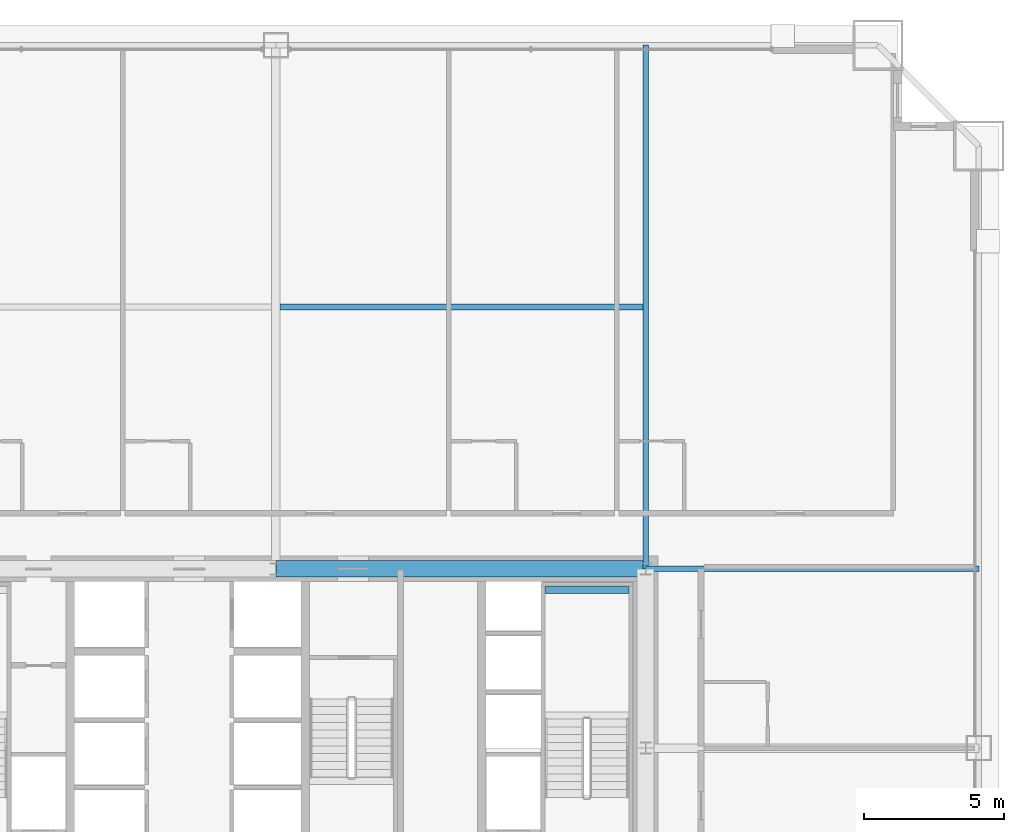
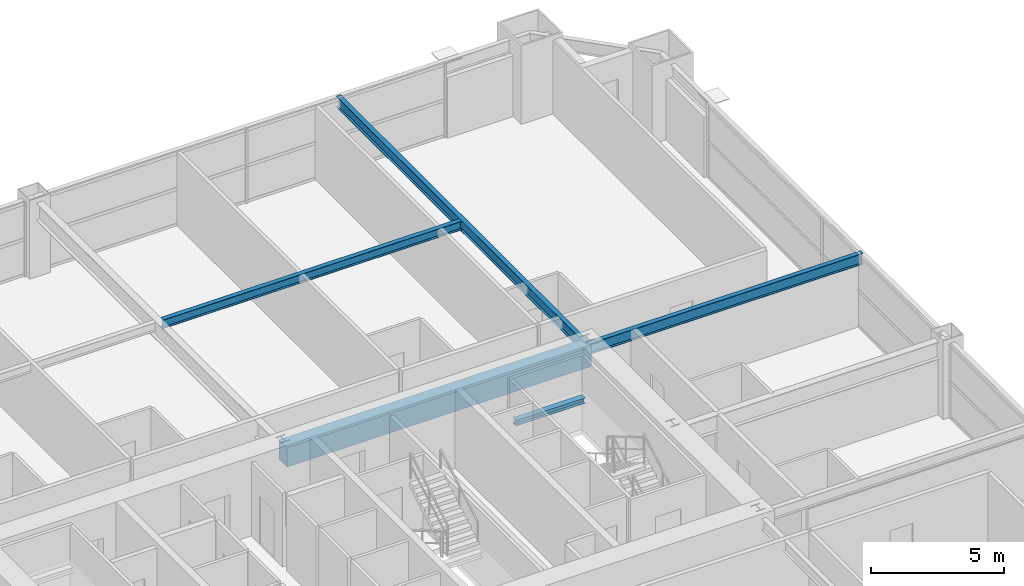
# One storey, part 31 of 43: 5 beams.
"""IFC4 building model written with IfcOpenShell, lengths in metres."""

from ifc_helpers import new_model, si_unit, direction, frame, origin, origin_2d, place, context, subcontext, project, spatial, rectangle, i_section, extrude, source, transform, mapped, material, material_profile, profile_set, type_object, element, save


model = new_model("IFC4")

# Units and contexts
model_context = context("Model", 3, precision=1e-05, world=origin(), true_north=direction((0.0, 1.0)))
body_context = subcontext(model_context, "Body", "Model", "MODEL_VIEW")
ifc_project = project(units=[si_unit("LENGTHUNIT", "METRE"), si_unit("AREAUNIT", "SQUARE_METRE"), si_unit("VOLUMEUNIT", "CUBIC_METRE"), si_unit("PLANEANGLEUNIT", "RADIAN"), si_unit("MASSUNIT", "GRAM", prefix="KILO"), si_unit("THERMODYNAMICTEMPERATUREUNIT", "KELVIN"), si_unit("POWERUNIT", "WATT")], contexts=[model_context])

# Site, building, storey
site_placement = place(None, origin())
site = spatial("IfcSite", under=ifc_project, at=site_placement, CompositionType="ELEMENT")
building_placement = place(site_placement, origin())
building = spatial("IfcBuilding", under=site, at=building_placement, Name="Yuzanri Waterfront Tower", CompositionType="ELEMENT")
storey_placement = place(building_placement, frame((0.0, 0.0, 78.39990234375)))
storey = spatial("IfcBuildingStorey", under=building, at=storey_placement, Name="L20", CompositionType="ELEMENT", Elevation=78.39990234375)

# Beams
ifc_material_1 = material(Name="Concrete C60", Category="concrete")
ifc_material_profile_1 = material_profile(ifc_material_1, rectangle(XDim=0.60009765625, YDim=0.89990234375, at=origin_2d()), Name="RC 600x900")
ifc_profile_set_1 = profile_set([ifc_material_profile_1], Name="Concrete C60")
beam_type_1 = type_object("IfcBeamType", Name="Core Coupling Lintel Concrete C60 600x900", PredefinedType="LINTEL", material=ifc_profile_set_1)
shared_shape_1 = source(origin(), body_context, "Body", "SweptSolid", [
    extrude(rectangle(XDim=0.60009765625, YDim=0.89990234375, at=origin_2d()), origin(), (0.0, 0.0, 1.0), 13.199951171875),
])
beam_1_placement = place(storey_placement, frame((37.0, 32.199951171875, 2.93017578125), z_axis=(1.0, 0.0, 0.0), x_axis=(0.0, 1.0, 0.0)))
element("IfcBeam", 1, at=beam_1_placement, inside=storey, type_object=beam_type_1, Name="L20 Core Tie Beam CN2", PredefinedType="LINTEL", context=body_context, shape_type="MappedRepresentation", body=[
    mapped(shared_shape_1, transform((0.0, 0.0, 0.0), scale=1.0)),
])
ifc_material_2 = material(Name="Steel Q355B", Category="steel")
ifc_material_profile_2 = material_profile(ifc_material_2, i_section(OverallWidth=0.199951171875, OverallDepth=0.5, WebThickness=0.010009765625, FlangeThickness=0.01611328125, at=origin_2d()), Name="HN 500x200x10x16")
ifc_profile_set_2 = profile_set([ifc_material_profile_2], Name="Steel Q355B")
beam_type_2 = type_object("IfcBeamType", Name="Secondary Floor Beam Q355B HN 500x200", PredefinedType="BEAM", material=ifc_profile_set_2)
shared_shape_2 = source(origin(), body_context, "Body", "SweptSolid", [
    extrude(i_section(OverallWidth=0.199951171875, OverallDepth=0.5, WebThickness=0.010009765625, FlangeThickness=0.01611328125, at=origin_2d()), origin(), (0.0, 0.0, 1.0), 18.699951171875),
])
beam_2_placement = place(storey_placement, frame((50.199951171875, 32.199951171875, 3.130126953125), z_axis=(0.0, 1.0, 0.0), x_axis=(-1.0, 0.0, 0.0)))
element("IfcBeam", 2, at=beam_2_placement, inside=storey, type_object=beam_type_2, Name="L20 North-East Core Line Beam", PredefinedType="BEAM", context=body_context, shape_type="MappedRepresentation", body=[
    mapped(shared_shape_2, transform((0.0, 0.0, 0.0), scale=1.0)),
])
shared_shape_3 = source(origin(), body_context, "Body", "SweptSolid", [
    extrude(i_section(OverallWidth=0.199951171875, OverallDepth=0.5, WebThickness=0.010009765625, FlangeThickness=0.01611328125, at=origin_2d()), origin(), (0.0, 0.0, 1.0), 11.900146484375),
])
beam_3_placement = place(storey_placement, frame((50.199951171875, 32.199951171875, 3.130126953125), z_axis=(1.0, 0.0, 0.0), x_axis=(0.0, 1.0, 0.0)))
element("IfcBeam", 3, at=beam_3_placement, inside=storey, type_object=beam_type_2, Name="L20 East-North Core Line Beam", PredefinedType="BEAM", context=body_context, shape_type="MappedRepresentation", body=[
    mapped(shared_shape_3, transform((0.0, 0.0, 0.0), scale=1.0)),
])
ifc_material_3 = material(Name="Steel Q355B", Category="steel")
ifc_material_profile_3 = material_profile(ifc_material_3, i_section(OverallWidth=0.199951171875, OverallDepth=0.39990234375, WebThickness=0.008056640625, FlangeThickness=0.012939453125, at=origin_2d()), Name="HN 400x200x8x13")
ifc_profile_set_3 = profile_set([ifc_material_profile_3], Name="Steel Q355B")
beam_type_3 = type_object("IfcBeamType", Name="Floor Joist Q355B HN 400x200", PredefinedType="JOIST", material=ifc_profile_set_3)
shared_shape_4 = source(origin(), body_context, "Body", "SweptSolid", [
    extrude(i_section(OverallWidth=0.199951171875, OverallDepth=0.39990234375, WebThickness=0.008056640625, FlangeThickness=0.012939453125, at=origin_2d()), origin(), (0.0, 0.0, 1.0), 12.9501953125),
])
beam_4_placement = place(storey_placement, frame((37.14990234375, 41.550048828125, 3.18017578125), z_axis=(1.0, 0.0, 0.0), x_axis=(0.0, 1.0, 0.0)))
element("IfcBeam", 4, at=beam_4_placement, inside=storey, type_object=beam_type_3, Name="L20 North Bay Joist E", PredefinedType="JOIST", context=body_context, shape_type="MappedRepresentation", body=[
    mapped(shared_shape_4, transform((0.0, 0.0, 0.0), scale=1.0)),
])
ifc_material_4 = material(Name="Steel Q355B", Category="steel")
ifc_material_profile_4 = material_profile(ifc_material_4, i_section(OverallWidth=0.25, OverallDepth=0.25, WebThickness=0.009033203125, FlangeThickness=0.013916015625, at=origin_2d()), Name="HW 250x250x9x14")
ifc_profile_set_4 = profile_set([ifc_material_profile_4], Name="Steel Q355B")
beam_type_4 = type_object("IfcBeamType", Name="Stair Landing Support Beam Q355B HW 250x250", PredefinedType="BEAM", material=ifc_profile_set_4)
shared_shape_5 = source(origin(), body_context, "Body", "SweptSolid", [
    extrude(i_section(OverallWidth=0.25, OverallDepth=0.25, WebThickness=0.009033203125, FlangeThickness=0.013916015625, at=origin_2d()), origin(), (0.0, 0.0, 1.0), 3.0),
])
beam_5_placement = place(storey_placement, frame((46.60009765625, 31.449951171875, 1.47509765625), z_axis=(1.0, 0.0, 0.0), x_axis=(0.0, 1.0, 0.0)))
element("IfcBeam", 5, at=beam_5_placement, inside=storey, type_object=beam_type_4, Name="L20 Stair Landing Support Beam ST-02-L20-L1-2", PredefinedType="BEAM", context=body_context, shape_type="MappedRepresentation", body=[
    mapped(shared_shape_5, transform((0.0, 0.0, 0.0), scale=1.0)),
])

save(model, "model.ifc")
